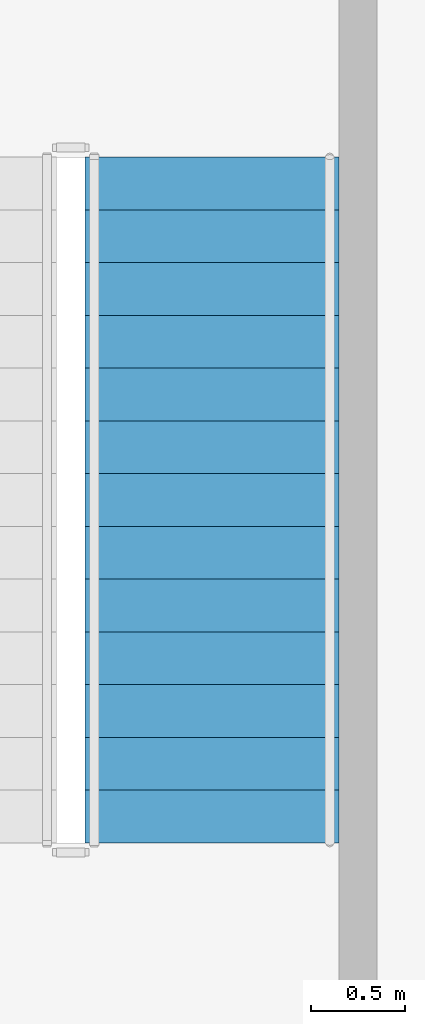
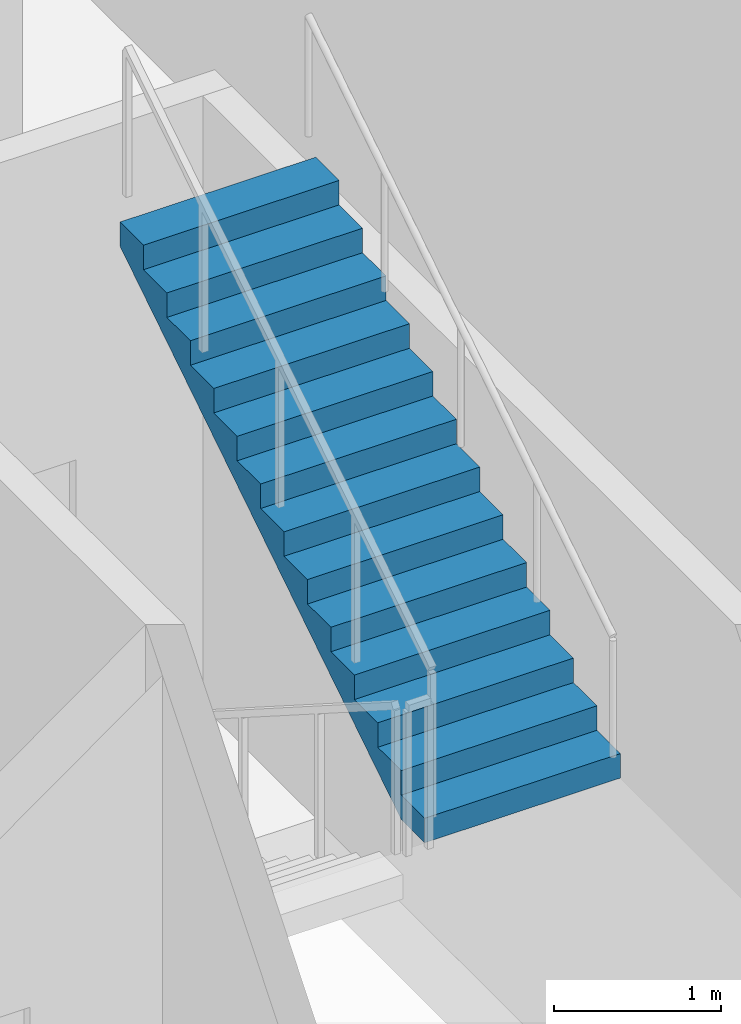
# One storey, part 10 of 12: 1 stair flight, 1 element without a shape of its own.
"""IFC4 building model written with IfcOpenShell, lengths in metres."""

from ifc_helpers import new_model, si_unit, direction, frame, origin, place, context, subcontext, project, spatial, polyline, outline, extrude, material, type_object, element, aggregate, save


model = new_model("IFC4")

# Units and contexts
model_context = context("Model", 3, precision=1e-05, world=origin(), true_north=direction((0.0, 1.0)))
body_context = subcontext(model_context, "Body", "Model", "MODEL_VIEW")
ifc_project = project(units=[si_unit("LENGTHUNIT", "METRE"), si_unit("AREAUNIT", "SQUARE_METRE"), si_unit("VOLUMEUNIT", "CUBIC_METRE"), si_unit("PLANEANGLEUNIT", "RADIAN"), si_unit("MASSUNIT", "GRAM", prefix="KILO")], contexts=[model_context])

# Site, building, storey
site_placement = place(None, origin())
site = spatial("IfcSite", under=ifc_project, at=site_placement, CompositionType="ELEMENT")
building_placement = place(site_placement, origin())
building = spatial("IfcBuilding", under=site, at=building_placement, Name="Mangrove Gate Tower", CompositionType="ELEMENT")
storey_placement = place(building_placement, frame((0.0, 0.0, 11.0)))
storey = spatial("IfcBuildingStorey", under=building, at=storey_placement, Name="L02", CompositionType="ELEMENT", Elevation=11.0)

# Stair, stair flight
ifc_material_1 = material(Name="Concrete C40/50", Category="concrete")
stair_type = type_object("IfcStairType", Name="Core stair 1350", PredefinedType="HALF_TURN_STAIR", material=ifc_material_1)
stair_placement = place(storey_placement, origin())
stair = element("IfcStair", 1, at=stair_placement, inside=storey, type_object=stair_type, Name="L02 Stair 3", PredefinedType="HALF_TURN_STAIR")
ifc_material_2 = material(Name="Concrete C40/50", Category="concrete")
stair_flight_type = type_object("IfcStairFlightType", Name="Core stair flight 1350", PredefinedType="STRAIGHT", material=ifc_material_2)
stair_flight_placement = place(storey_placement, frame((10.02490234375, -8.2900390625, 2.5), z_axis=(0.0, 0.0, 1.0), x_axis=(0.0, 1.0, 0.0)))
stair_flight = element("IfcStairFlight", 2, at=stair_flight_placement, type_object=stair_flight_type, Name="ST3 flight 2", NumberOfRisers=14, NumberOfTreads=13, PredefinedType="STRAIGHT", RiserHeight=0.178571429, TreadLength=0.28, context=body_context, shape_type="SweptSolid", body=[
    extrude(outline(polyline([(0.0, 0.0), (0.0, 0.178466796875), (0.280029296875, 0.178466796875), (0.280029296875, 0.357177734375), (0.56005859375, 0.357177734375), (0.56005859375, 0.53564453125), (0.840087890625, 0.53564453125), (0.840087890625, 0.71435546875), (1.1201171875, 0.71435546875), (1.1201171875, 0.892822265625), (1.39990234375, 0.892822265625), (1.39990234375, 1.071533203125), (1.679931640625, 1.071533203125), (1.679931640625, 1.25), (1.9599609375, 1.25), (1.9599609375, 1.428466796875), (2.239990234375, 1.428466796875), (2.239990234375, 1.607177734375), (2.52001953125, 1.607177734375), (2.52001953125, 1.78564453125), (2.800048828125, 1.78564453125), (2.800048828125, 1.96435546875), (3.080078125, 1.96435546875), (3.080078125, 2.142822265625), (3.360107421875, 2.142822265625), (3.360107421875, 2.321533203125), (3.639892578125, 2.321533203125), (3.639892578125, 2.5), (3.639892578125, 2.1435546875), (0.27880859375, 0.0), (0.0, 0.0)])), frame((0.0, 0.675048828125, 0.0), z_axis=(0.0, -1.0, 0.0), x_axis=(1.0, 0.0, 0.0)), (0.0, 0.0, 1.0), 1.35009765625),
])
aggregate(stair, [stair_flight])

save(model, "model.ifc")
